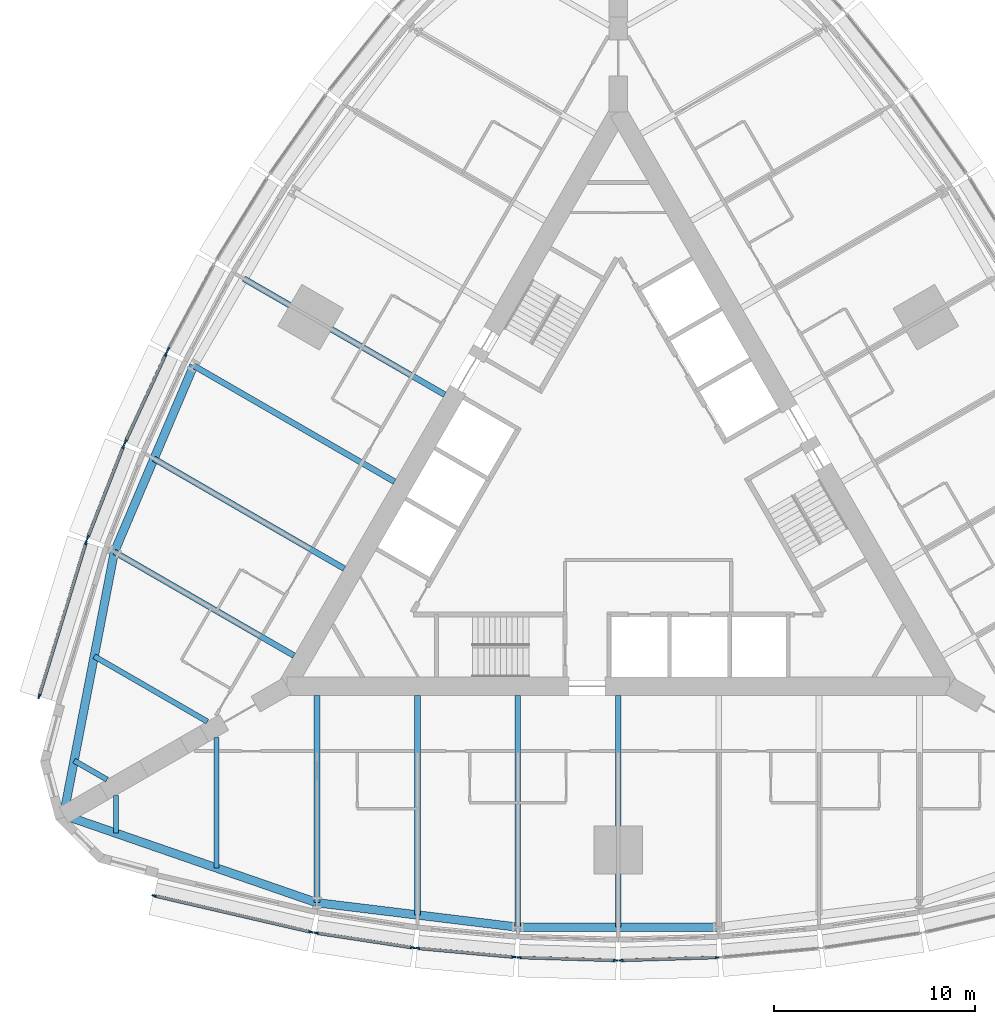
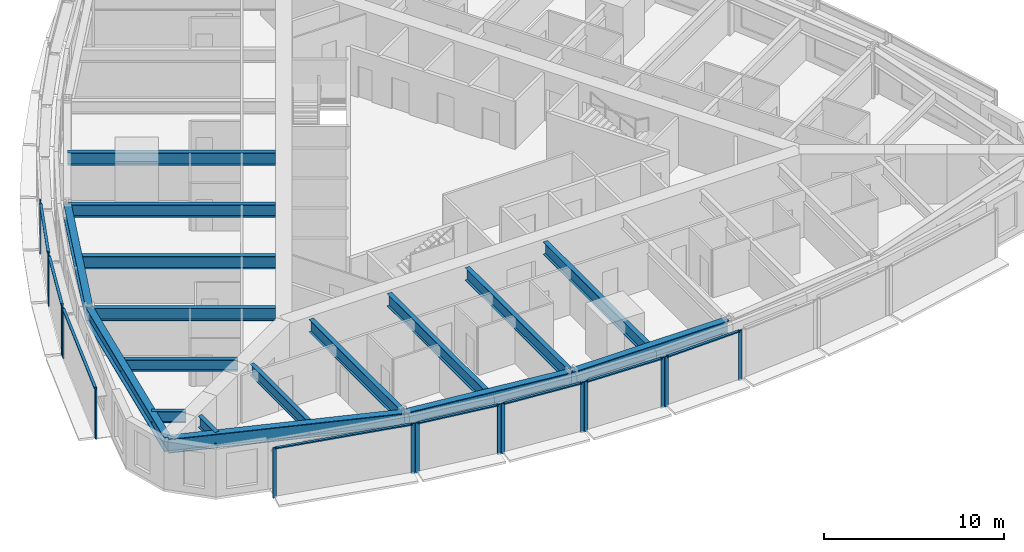
# One storey, part 2 of 14: 25 members, 17 beams, 9 elements without a shape of their own.
"""IFC4 building model written with IfcOpenShell, lengths in metres."""

import ifcopenshell
import ifcopenshell.guid

model = None  # the IFC model being written
_history = None  # IfcOwnerHistory: only IFC2X3 demands one
_inside = {}  # id of a spatial element -> (the spatial element, [elements in it])
_under = {}  # id of a project, library or spatial element -> (it, [spatial elements below it])
_declared = {}  # id of a project -> (the project, [libraries it declares])
_typed = {}  # id of a type object -> (the type object, [elements of that type])
_made_of = {}  # id of a material, layer set ... -> (it, [elements and type objects made of it])


def new_model(schema):
    """Start an empty IFC model of exactly this schema.

    Asked for "IFC4X3", IfcOpenShell would pick the latest addendum, in which some entities
    have other attributes; the version numbers below select the first issue.
    IFC2X3 requires an IfcOwnerHistory on every rooted entity: one is made here for all.
    """
    global model, _history
    if schema == "IFC4X3":
        model = ifcopenshell.file(schema_version=(4, 3, 0, 0))
    else:
        model = ifcopenshell.file(schema=schema)
    _inside.clear()
    _under.clear()
    _declared.clear()
    _typed.clear()
    _made_of.clear()
    _history = None
    if model.schema == "IFC2X3":
        org = make("IfcOrganization", Name="unknown")
        user = make(
            "IfcPersonAndOrganization",
            ThePerson=make("IfcPerson", FamilyName="unknown"),
            TheOrganization=org,
        )
        app = make(
            "IfcApplication",
            ApplicationDeveloper=org,
            Version="unknown",
            ApplicationFullName="unknown",
            ApplicationIdentifier="unknown",
        )
        _history = make(
            "IfcOwnerHistory",
            OwningUser=user,
            OwningApplication=app,
            ChangeAction="ADDED",
            CreationDate=0,
        )
    return model


def make(cls, **values):
    """One entity of the class cls with the attributes given. An attribute that is None is left unset."""
    return model.create_entity(
        cls, **{name: value for name, value in values.items() if value is not None}
    )


def rooted(cls, **values):
    """An entity with a GlobalId (a new one), such as an element, a storey or a relation."""
    return make(cls, GlobalId=ifcopenshell.guid.new(), OwnerHistory=_history, **values)


def si_unit(unit_type, name, prefix=None):
    """IfcSIUnit, for example si_unit("LENGTHUNIT", "METRE", prefix="MILLI")."""
    return make("IfcSIUnit", UnitType=unit_type, Prefix=prefix, Name=name)


def assignment(units):
    """IfcUnitAssignment: the units of a project."""
    return None if units is None else make("IfcUnitAssignment", Units=units)


def point(xyz):
    """IfcCartesianPoint."""
    return None if xyz is None else make("IfcCartesianPoint", Coordinates=xyz)


def direction(xyz):
    """IfcDirection."""
    return None if xyz is None else make("IfcDirection", DirectionRatios=xyz)


def frame(location, z_axis=None, x_axis=None):
    """IfcAxis2Placement3D, a coordinate frame: its origin and axes. An axis left out is left unset."""
    return make(
        "IfcAxis2Placement3D",
        Location=point(location),
        Axis=direction(z_axis),
        RefDirection=direction(x_axis),
    )


def frame_2d(location, x_axis=None):
    """IfcAxis2Placement2D, a coordinate frame in the plane: its origin and x axis."""
    return make(
        "IfcAxis2Placement2D", Location=point(location), RefDirection=direction(x_axis)
    )


def origin():
    """The frame at (0, 0, 0) with its axes left unset."""
    return frame((0.0, 0.0, 0.0))


def origin_2d():
    """The frame at (0, 0) in the plane with its x axis left unset."""
    return frame_2d((0.0, 0.0))


def place(relative_to, where):
    """IfcLocalPlacement: puts the frame where relative to a parent placement (None: the world)."""
    return make(
        "IfcLocalPlacement", PlacementRelTo=relative_to, RelativePlacement=where
    )


def context(
    kind, dimensions, precision=None, world=None, true_north=None, identifier=None
):
    """IfcGeometricRepresentationContext, for example the 3D "Model" context."""
    return make(
        "IfcGeometricRepresentationContext",
        ContextIdentifier=identifier,
        ContextType=kind,
        CoordinateSpaceDimension=dimensions,
        Precision=precision,
        WorldCoordinateSystem=world,
        TrueNorth=true_north,
    )


def subcontext(parent, identifier, kind, view, scale=None):
    """IfcGeometricRepresentationSubContext, for example "Body" below "Model"."""
    return make(
        "IfcGeometricRepresentationSubContext",
        ContextIdentifier=identifier,
        ContextType=kind,
        ParentContext=parent,
        TargetScale=scale,
        TargetView=view,
    )


def project(units=None, contexts=None):
    """IfcProject with its units and contexts."""
    return rooted(
        "IfcProject",
        Name="project",
        RepresentationContexts=contexts,
        UnitsInContext=assignment(units),
    )


def spatial(cls, under=None, at=None, **own):
    """A site, building, storey or space (cls), placed at a placement, below another one or the project."""
    s = rooted(cls, ObjectPlacement=at, **own)
    if under is not None:
        _under.setdefault(under.id(), (under, []))[1].append(s)
    return s


def profile(cls, at=None, kind="AREA", **sizes):
    """A parametric profile (cls). Its sizes go by their IFC names, for example OverallWidth=200.0."""
    return make(cls, ProfileType=kind, Position=at, **sizes)


def rectangle(**sizes):
    """IfcRectangleProfileDef."""
    return profile("IfcRectangleProfileDef", **sizes)


def i_section(**sizes):
    """IfcIShapeProfileDef."""
    return profile("IfcIShapeProfileDef", **sizes)


def extrude(swept, where, along, depth):
    """IfcExtrudedAreaSolid: the profile swept, set in the frame where, extruded along a direction by depth."""
    return make(
        "IfcExtrudedAreaSolid",
        SweptArea=swept,
        Position=where,
        ExtrudedDirection=direction(along),
        Depth=depth,
    )


def shape(context_of_items, identifier, shape_type, items):
    """IfcShapeRepresentation: the items that make up one representation, for example the "Body"."""
    return make(
        "IfcShapeRepresentation",
        ContextOfItems=context_of_items,
        RepresentationIdentifier=identifier,
        RepresentationType=shape_type,
        Items=items,
    )


def material(Name=None, Category=None):
    """IfcMaterial."""
    return make("IfcMaterial", Name=Name, Category=Category)


def material_profile(
    of_material, cross_section, Name=None, Category=None, Priority=None
):
    """IfcMaterialProfile: a cross section and its material."""
    return make(
        "IfcMaterialProfile",
        Name=Name,
        Material=of_material,
        Profile=cross_section,
        Priority=Priority,
        Category=Category,
    )


def profile_set(profiles, Name=None, composite=None):
    """IfcMaterialProfileSet."""
    return make(
        "IfcMaterialProfileSet",
        Name=Name,
        MaterialProfiles=profiles,
        CompositeProfile=composite,
    )


def made_of(thing, what):
    """Note that an element or type object is made of a material, layer set ...; save() writes the relation."""
    if what is not None:
        _made_of.setdefault(what.id(), (what, []))[1].append(thing)
    return thing


def type_object(cls, material=None, **own):
    """A type object (cls), such as IfcWallType, which elements share."""
    return made_of(rooted(cls, **own), material)


def element(
    cls,
    number,
    at=None,
    inside=None,
    cuts=None,
    type_object=None,
    material=None,
    context=None,
    identifier="Body",
    shape_type=None,
    held_by="IfcProductDefinitionShape",
    body=None,
    shapes=None,
    **own,
):
    """One element of the class cls, such as IfcWall. Its Tag is "e" and its number.

    at: its placement. inside: the storey or other place that contains it. cuts: it is an
    opening in that element (IfcRelVoidsElement). A single representation is given by context,
    identifier, shape_type and body (its items); several are given by shapes. held_by: the class
    of the entity that holds the representations. save() writes the other relations.
    """
    e = rooted(cls, Tag="e%d" % number, ObjectPlacement=at, **own)
    if body is not None:
        shapes = [shape(context, identifier, shape_type, body)]
    if shapes is not None:
        e.Representation = make(held_by, Representations=shapes)
    if inside is not None:
        _inside.setdefault(inside.id(), (inside, []))[1].append(e)
    if cuts is not None:
        rooted(
            "IfcRelVoidsElement", RelatingBuildingElement=cuts, RelatedOpeningElement=e
        )
    if type_object is not None:
        _typed.setdefault(type_object.id(), (type_object, []))[1].append(e)
    return made_of(e, material)


def aggregate(whole, parts):
    """IfcRelAggregates: a whole, such as a stair, and the parts it consists of."""
    return rooted("IfcRelAggregates", RelatingObject=whole, RelatedObjects=parts)


def save(model, path):
    """Write the relations noted so far, then the file.

    IfcRelAggregates (storeys below a building ...), IfcRelContainedInSpatialStructure (elements
    in a storey), IfcRelDefinesByType, IfcRelAssociatesMaterial and IfcRelDeclares: one each for
    every whole, place, type object, material and project.
    """
    for whole, parts in _under.values():
        aggregate(whole, parts)
    for where, things in _inside.values():
        rooted(
            "IfcRelContainedInSpatialStructure",
            RelatedElements=things,
            RelatingStructure=where,
        )
    for kind, things in _typed.values():
        rooted("IfcRelDefinesByType", RelatedObjects=things, RelatingType=kind)
    for what, things in _made_of.values():
        rooted("IfcRelAssociatesMaterial", RelatedObjects=things, RelatingMaterial=what)
    for by, libraries in _declared.values():
        rooted("IfcRelDeclares", RelatingContext=by, RelatedDefinitions=libraries)
    model.write(path)


model = new_model("IFC4")

# Units and contexts
model_context = context("Model", 3, precision=1e-05, world=origin(), true_north=direction((0.0, 1.0)))
body_context = subcontext(model_context, "Body", "Model", "MODEL_VIEW")
ifc_project = project(units=[si_unit("LENGTHUNIT", "METRE"), si_unit("AREAUNIT", "SQUARE_METRE"), si_unit("VOLUMEUNIT", "CUBIC_METRE"), si_unit("PLANEANGLEUNIT", "RADIAN"), si_unit("MASSUNIT", "GRAM", prefix="KILO")], contexts=[model_context])

# Site, building, storey
site_placement = place(None, origin())
site = spatial("IfcSite", under=ifc_project, at=site_placement, CompositionType="ELEMENT")
building_placement = place(site_placement, origin())
building = spatial("IfcBuilding", under=site, at=building_placement, Name="Trikona Tower", CompositionType="ELEMENT")
storey_placement = place(building_placement, frame((0.0, 0.0, 31.89990234375)))
storey = spatial("IfcBuildingStorey", under=building, at=storey_placement, Name="L06", CompositionType="ELEMENT", Elevation=31.89990234375)

# Curtain wall, members
ifc_material_1 = material(Name="Aluminium curtain wall system", Category="aluminium")
curtain_wall_type = type_object("IfcCurtainWallType", Name="Curtain wall DS1", PredefinedType="NOTDEFINED", material=ifc_material_1)
curtain_wall_1_placement = place(storey_placement, origin())
curtain_wall_1 = element("IfcCurtainWall", 1, at=curtain_wall_1_placement, inside=storey, type_object=curtain_wall_type, Name="Curtain wall DS1 L06", PredefinedType="NOTDEFINED")
ifc_material_2 = material(Name="Aluminium mullion, pale anodised", Category="aluminium")
ifc_material_profile_1 = material_profile(ifc_material_2, rectangle(XDim=0.080078125, YDim=0.219970703125, at=origin_2d()), Name="MUL-DS1")
ifc_profile_set_1 = profile_set([ifc_material_profile_1], Name="Aluminium mullion, pale anodised")
member_type_1 = type_object("IfcMemberType", Name="Mullion DS1 80x220", PredefinedType="MULLION", material=ifc_profile_set_1)
member_1_placement = place(storey_placement, frame((-23.10546875, -19.951904296875, 0.0), z_axis=(0.0, 0.0, 1.0), x_axis=(0.225343288756, 0.974279427173, 0.0)))
member_1 = element("IfcMember", 2, at=member_1_placement, type_object=member_type_1, Name="CW-DS1 mullion 1", PredefinedType="MULLION", context=body_context, shape_type="SweptSolid", body=[
    extrude(rectangle(XDim=0.080078125, YDim=0.219970703125, at=origin_2d()), origin(), (0.0, 0.0, 1.0), 3.400146484375),
])
member_2_placement = place(storey_placement, frame((-15.30029296875, -21.75732421875, 0.0), z_axis=(0.0, 0.0, 1.0), x_axis=(0.225343288756, 0.974279427173, 0.0)))
member_2 = element("IfcMember", 3, at=member_2_placement, type_object=member_type_1, Name="CW-DS1 mullion 2", PredefinedType="MULLION", context=body_context, shape_type="SweptSolid", body=[
    extrude(rectangle(XDim=0.080078125, YDim=0.219970703125, at=origin_2d()), origin(), (0.0, 0.0, 1.0), 3.400146484375),
])

curtain_wall_2_placement = place(storey_placement, origin())
curtain_wall_2 = element("IfcCurtainWall", 4, at=curtain_wall_2_placement, inside=storey, type_object=curtain_wall_type, Name="Curtain wall DS1 L06", PredefinedType="NOTDEFINED")
member_3_placement = place(storey_placement, frame((-15.03662109375, -21.807861328125, 0.0), z_axis=(0.0, 0.0, 1.0), x_axis=(0.150437693845, 0.988619492156, 0.0)))
member_3 = element("IfcMember", 5, at=member_3_placement, type_object=member_type_1, Name="CW-DS1 mullion 1", PredefinedType="MULLION", context=body_context, shape_type="SweptSolid", body=[
    extrude(rectangle(XDim=0.080078125, YDim=0.219970703125, at=origin_2d()), origin(), (0.0, 0.0, 1.0), 3.400146484375),
])
member_4_placement = place(storey_placement, frame((-10.234130859375, -22.53857421875, 0.0), z_axis=(0.0, 0.0, 1.0), x_axis=(0.150437693845, 0.988619492156, 0.0)))
member_4 = element("IfcMember", 6, at=member_4_placement, type_object=member_type_1, Name="CW-DS1 mullion 2", PredefinedType="MULLION", context=body_context, shape_type="SweptSolid", body=[
    extrude(rectangle(XDim=0.080078125, YDim=0.219970703125, at=origin_2d()), origin(), (0.0, 0.0, 1.0), 3.400146484375),
])

curtain_wall_3_placement = place(storey_placement, origin())
curtain_wall_3 = element("IfcCurtainWall", 7, at=curtain_wall_3_placement, inside=storey, type_object=curtain_wall_type, Name="Curtain wall DS1 L06", PredefinedType="NOTDEFINED")
member_5_placement = place(storey_placement, frame((-9.982177734375, -22.5693359375, 0.0), z_axis=(0.0, 0.0, 1.0), x_axis=(0.090923932737, 0.995857840485, 0.0)))
member_5 = element("IfcMember", 8, at=member_5_placement, type_object=member_type_1, Name="CW-DS1 mullion 1", PredefinedType="MULLION", context=body_context, shape_type="SweptSolid", body=[
    extrude(rectangle(XDim=0.080078125, YDim=0.219970703125, at=origin_2d()), origin(), (0.0, 0.0, 1.0), 3.400146484375),
])
member_6_placement = place(storey_placement, frame((-5.181396484375, -23.007568359375, 0.0), z_axis=(0.0, 0.0, 1.0), x_axis=(0.090923932737, 0.995857840485, 0.0)))
member_6 = element("IfcMember", 9, at=member_6_placement, type_object=member_type_1, Name="CW-DS1 mullion 2", PredefinedType="MULLION", context=body_context, shape_type="SweptSolid", body=[
    extrude(rectangle(XDim=0.080078125, YDim=0.219970703125, at=origin_2d()), origin(), (0.0, 0.0, 1.0), 3.400146484375),
])

curtain_wall_4_placement = place(storey_placement, origin())
curtain_wall_4 = element("IfcCurtainWall", 10, at=curtain_wall_4_placement, inside=storey, type_object=curtain_wall_type, Name="Curtain wall DS1 L06", PredefinedType="NOTDEFINED")
member_7_placement = place(storey_placement, frame((-4.927490234375, -23.02294921875, 0.0), z_axis=(0.0, 0.0, 1.0), x_axis=(0.030436711692, 0.999536695965, 0.0)))
member_7 = element("IfcMember", 11, at=member_7_placement, type_object=member_type_1, Name="CW-DS1 mullion 1", PredefinedType="MULLION", context=body_context, shape_type="SweptSolid", body=[
    extrude(rectangle(XDim=0.080078125, YDim=0.219970703125, at=origin_2d()), origin(), (0.0, 0.0, 1.0), 3.400146484375),
])
member_8_placement = place(storey_placement, frame((-0.12744140625, -23.169189453125, 0.0), z_axis=(0.0, 0.0, 1.0), x_axis=(0.030436711692, 0.999536695965, 0.0)))
member_8 = element("IfcMember", 12, at=member_8_placement, type_object=member_type_1, Name="CW-DS1 mullion 2", PredefinedType="MULLION", context=body_context, shape_type="SweptSolid", body=[
    extrude(rectangle(XDim=0.080078125, YDim=0.219970703125, at=origin_2d()), origin(), (0.0, 0.0, 1.0), 3.400146484375),
])

curtain_wall_5_placement = place(storey_placement, origin())
curtain_wall_5 = element("IfcCurtainWall", 13, at=curtain_wall_5_placement, inside=storey, type_object=curtain_wall_type, Name="Curtain wall DS1 L06", PredefinedType="NOTDEFINED")
member_9_placement = place(storey_placement, frame((0.12744140625, -23.169189453125, 0.0), z_axis=(0.0, 0.0, 1.0), x_axis=(-0.030436711692, 0.999536695965, 0.0)))
member_9 = element("IfcMember", 14, at=member_9_placement, type_object=member_type_1, Name="CW-DS1 mullion 1", PredefinedType="MULLION", context=body_context, shape_type="SweptSolid", body=[
    extrude(rectangle(XDim=0.080078125, YDim=0.219970703125, at=origin_2d()), origin(), (0.0, 0.0, 1.0), 3.400146484375),
])
member_10_placement = place(storey_placement, frame((4.927490234375, -23.02294921875, 0.0), z_axis=(0.0, 0.0, 1.0), x_axis=(-0.030436711692, 0.999536695965, 0.0)))
member_10 = element("IfcMember", 15, at=member_10_placement, type_object=member_type_1, Name="CW-DS1 mullion 2", PredefinedType="MULLION", context=body_context, shape_type="SweptSolid", body=[
    extrude(rectangle(XDim=0.080078125, YDim=0.219970703125, at=origin_2d()), origin(), (0.0, 0.0, 1.0), 3.400146484375),
])

# Curtain wall, member
curtain_wall_6_placement = place(storey_placement, origin())
curtain_wall_6 = element("IfcCurtainWall", 16, at=curtain_wall_6_placement, inside=storey, type_object=curtain_wall_type, Name="Curtain wall DS1 L06", PredefinedType="NOTDEFINED")
member_11_placement = place(storey_placement, frame((-22.402099609375, 7.244140625, 0.0), z_axis=(0.0, 0.0, 1.0), x_axis=(0.880843080975, -0.473408350896, 0.0)))
member_11 = element("IfcMember", 17, at=member_11_placement, type_object=member_type_1, Name="CW-DS1 mullion 2", PredefinedType="MULLION", context=body_context, shape_type="SweptSolid", body=[
    extrude(rectangle(XDim=0.080078125, YDim=0.219970703125, at=origin_2d()), origin(), (0.0, 0.0, 1.0), 3.400146484375),
])
aggregate(curtain_wall_6, [member_11])

# Curtain wall, members
curtain_wall_7_placement = place(storey_placement, origin())
curtain_wall_7 = element("IfcCurtainWall", 18, at=curtain_wall_7_placement, inside=storey, type_object=curtain_wall_type, Name="Curtain wall DS1 L06", PredefinedType="NOTDEFINED")
member_12_placement = place(storey_placement, frame((-22.515869140625, 7.0166015625, 0.0), z_axis=(0.0, 0.0, 1.0), x_axis=(0.907898459992, -0.419190155352, 0.0)))
member_12 = element("IfcMember", 19, at=member_12_placement, type_object=member_type_1, Name="CW-DS1 mullion 1", PredefinedType="MULLION", context=body_context, shape_type="SweptSolid", body=[
    extrude(rectangle(XDim=0.080078125, YDim=0.219970703125, at=origin_2d()), origin(), (0.0, 0.0, 1.0), 3.400146484375),
])
member_13_placement = place(storey_placement, frame((-24.53662109375, 2.6396484375, 0.0), z_axis=(0.0, 0.0, 1.0), x_axis=(0.907898459992, -0.419190155352, 0.0)))
member_13 = element("IfcMember", 20, at=member_13_placement, type_object=member_type_1, Name="CW-DS1 mullion 2", PredefinedType="MULLION", context=body_context, shape_type="SweptSolid", body=[
    extrude(rectangle(XDim=0.080078125, YDim=0.219970703125, at=origin_2d()), origin(), (0.0, 0.0, 1.0), 3.400146484375),
])

curtain_wall_8_placement = place(storey_placement, origin())
curtain_wall_8 = element("IfcCurtainWall", 21, at=curtain_wall_8_placement, inside=storey, type_object=curtain_wall_type, Name="Curtain wall DS1 L06", PredefinedType="NOTDEFINED")
member_14_placement = place(storey_placement, frame((-24.63623046875, 2.40625, 0.0), z_axis=(0.0, 0.0, 1.0), x_axis=(0.931395989443, -0.36400756977, 0.0)))
member_14 = element("IfcMember", 22, at=member_14_placement, type_object=member_type_1, Name="CW-DS1 mullion 1", PredefinedType="MULLION", context=body_context, shape_type="SweptSolid", body=[
    extrude(rectangle(XDim=0.080078125, YDim=0.219970703125, at=origin_2d()), origin(), (0.0, 0.0, 1.0), 3.400146484375),
])
member_15_placement = place(storey_placement, frame((-26.404296875, -2.1181640625, 0.0), z_axis=(0.0, 0.0, 1.0), x_axis=(0.931395989443, -0.36400756977, 0.0)))
member_15 = element("IfcMember", 23, at=member_15_placement, type_object=member_type_1, Name="CW-DS1 mullion 2", PredefinedType="MULLION", context=body_context, shape_type="SweptSolid", body=[
    extrude(rectangle(XDim=0.080078125, YDim=0.219970703125, at=origin_2d()), origin(), (0.0, 0.0, 1.0), 3.400146484375),
])

curtain_wall_9_placement = place(storey_placement, origin())
curtain_wall_9 = element("IfcCurtainWall", 24, at=curtain_wall_9_placement, inside=storey, type_object=curtain_wall_type, Name="Curtain wall DS1 L06", PredefinedType="NOTDEFINED")
member_16_placement = place(storey_placement, frame((-26.492431640625, -2.371826171875, 0.0), z_axis=(0.0, 0.0, 1.0), x_axis=(0.956423115383, -0.291984287868, 0.0)))
member_16 = element("IfcMember", 25, at=member_16_placement, type_object=member_type_1, Name="CW-DS1 mullion 1", PredefinedType="MULLION", context=body_context, shape_type="SweptSolid", body=[
    extrude(rectangle(XDim=0.080078125, YDim=0.219970703125, at=origin_2d()), origin(), (0.0, 0.0, 1.0), 3.400146484375),
])
member_17_placement = place(storey_placement, frame((-28.83154296875, -10.033935546875, 0.0), z_axis=(0.0, 0.0, 1.0), x_axis=(0.956423115383, -0.291984287868, 0.0)))
member_17 = element("IfcMember", 26, at=member_17_placement, type_object=member_type_1, Name="CW-DS1 mullion 2", PredefinedType="MULLION", context=body_context, shape_type="SweptSolid", body=[
    extrude(rectangle(XDim=0.080078125, YDim=0.219970703125, at=origin_2d()), origin(), (0.0, 0.0, 1.0), 3.400146484375),
])

# Beams
ifc_material_3 = material(Name="Steel ASTM A992 Grade 50", Category="steel")
ifc_material_profile_2 = material_profile(ifc_material_3, i_section(OverallWidth=0.2666015625, OverallDepth=0.76953125, WebThickness=0.015625, FlangeThickness=0.025390625, at=origin_2d()), Name="W30X132")
ifc_profile_set_2 = profile_set([ifc_material_profile_2], Name="Steel ASTM A992 Grade 50")
beam_type_1 = type_object("IfcBeamType", Name="Steel beam W30x132 (wedge)", PredefinedType="BEAM", material=ifc_profile_set_2)
beam_1_placement = place(storey_placement, frame((-25.0, -14.953369140625, 2.850341796875), z_axis=(0.0, -1.0, 0.0), x_axis=(1.0, 0.0, 0.0)))
element("IfcBeam", 27, at=beam_1_placement, inside=storey, type_object=beam_type_1, Name="Floor beam L07 F1 u-25", PredefinedType="BEAM", context=body_context, shape_type="SweptSolid", body=[
    extrude(i_section(OverallWidth=0.2666015625, OverallDepth=0.76953125, WebThickness=0.015625, FlangeThickness=0.025390625, at=origin_2d()), origin(), (0.0, 0.0, 1.0), 1.890380859375),
])
for number, where, z_axis, x_axis, name in (
    (28, (-20.0, -12.066650390625, 2.850341796875), (0.0, -1.0, 0.0), (1.0, 0.0, 0.0), "Floor beam L07 F1 u-20"),
    (29, (-20.449951171875, -11.287109375, 2.850341796875), (-0.866022504693, 0.50000502134, 0.0), (-0.50000502134, -0.866022504693, 0.0), "Floor beam L07 F3 u20"),
):
    element("IfcBeam", number, at=place(storey_placement, frame(where, z_axis=z_axis, x_axis=x_axis)), inside=storey, type_object=beam_type_1, Name=name, PredefinedType="BEAM", context=body_context, shape_type="SweptSolid", body=[
        extrude(i_section(OverallWidth=0.2666015625, OverallDepth=0.76953125, WebThickness=0.015625, FlangeThickness=0.025390625, at=origin_2d()), origin(), (0.0, 0.0, 1.0), 6.5068359375),
    ])
beam_2_placement = place(storey_placement, frame((-25.449951171875, -14.173828125, 2.850341796875), z_axis=(-0.866065156741, 0.499931139538, 0.0), x_axis=(-0.499931139538, -0.866065156741, 0.0)))
element("IfcBeam", 30, at=beam_2_placement, inside=storey, type_object=beam_type_1, Name="Floor beam L07 F3 u25", PredefinedType="BEAM", context=body_context, shape_type="SweptSolid", body=[
    extrude(i_section(OverallWidth=0.2666015625, OverallDepth=0.76953125, WebThickness=0.015625, FlangeThickness=0.025390625, at=origin_2d()), origin(), (0.0, 0.0, 1.0), 1.890380859375),
])
ifc_material_4 = material(Name="Steel ASTM A992 Grade 50", Category="steel")
ifc_material_profile_3 = material_profile(ifc_material_4, i_section(OverallWidth=0.2919921875, OverallDepth=0.845703125, WebThickness=0.015380859375, FlangeThickness=0.0244140625, at=origin_2d()), Name="W33X141")
ifc_profile_set_3 = profile_set([ifc_material_profile_3], Name="Steel ASTM A992 Grade 50")
beam_type_2 = type_object("IfcBeamType", Name="Steel beam W33x141 (radial typ)", PredefinedType="BEAM", material=ifc_profile_set_3)
beam_3_placement = place(storey_placement, frame((-15.0, -9.976318359375, 2.812255859375), z_axis=(0.0, -1.0, 0.0), x_axis=(1.0, 0.0, 0.0)))
element("IfcBeam", 31, at=beam_3_placement, inside=storey, type_object=beam_type_2, Name="Floor beam L07 F1 u-15", PredefinedType="BEAM", context=body_context, shape_type="SweptSolid", body=[
    extrude(i_section(OverallWidth=0.2919921875, OverallDepth=0.845703125, WebThickness=0.015380859375, FlangeThickness=0.0244140625, at=origin_2d()), origin(), (0.0, 0.0, 1.0), 10.32666015625),
])
beam_4_placement = place(storey_placement, frame((-10.0, -9.976318359375, 2.812255859375), z_axis=(0.0, -1.0, 0.0), x_axis=(1.0, 0.0, 0.0)))
element("IfcBeam", 32, at=beam_4_placement, inside=storey, type_object=beam_type_2, Name="Floor beam L07 F1 u-10", PredefinedType="BEAM", context=body_context, shape_type="SweptSolid", body=[
    extrude(i_section(OverallWidth=0.2919921875, OverallDepth=0.845703125, WebThickness=0.015380859375, FlangeThickness=0.0244140625, at=origin_2d()), origin(), (0.0, 0.0, 1.0), 10.935302734375),
])
for number, where, z_axis, x_axis, name in (
    (33, (-5.0, -9.976318359375, 2.812255859375), (0.0, -1.0, 0.0), (1.0, 0.0, 0.0), "Floor beam L07 F1 u-5"),
    (34, (0.0, -9.976318359375, 2.812255859375), (0.0, -1.0, 0.0), (1.0, 0.0, 0.0), "Floor beam L07 F1 u0"),
    (35, (-8.6396484375, 4.988037109375, 2.812255859375), (-0.866020765707, 0.500008033299, 0.0), (-0.500008033299, -0.866020765707, 0.0), "Floor beam L07 F3 u0"),
    (36, (-11.1396484375, 0.657958984375, 2.812255859375), (-0.866020765707, 0.500008033299, 0.0), (-0.500008033299, -0.866020765707, 0.0), "Floor beam L07 F3 u5"),
):
    element("IfcBeam", number, at=place(storey_placement, frame(where, z_axis=z_axis, x_axis=x_axis)), inside=storey, type_object=beam_type_2, Name=name, PredefinedType="BEAM", context=body_context, shape_type="SweptSolid", body=[
        extrude(i_section(OverallWidth=0.2919921875, OverallDepth=0.845703125, WebThickness=0.015380859375, FlangeThickness=0.0244140625, at=origin_2d()), origin(), (0.0, 0.0, 1.0), 11.544189453125),
    ])
beam_5_placement = place(storey_placement, frame((-13.6396484375, -3.672119140625, 2.812255859375), z_axis=(-0.866025348605, 0.500000095573, 0.0), x_axis=(-0.500000095573, -0.866025348605, 0.0)))
element("IfcBeam", 37, at=beam_5_placement, inside=storey, type_object=beam_type_2, Name="Floor beam L07 F3 u10", PredefinedType="BEAM", context=body_context, shape_type="SweptSolid", body=[
    extrude(i_section(OverallWidth=0.2919921875, OverallDepth=0.845703125, WebThickness=0.015380859375, FlangeThickness=0.0244140625, at=origin_2d()), origin(), (0.0, 0.0, 1.0), 10.935546875),
])
beam_6_placement = place(storey_placement, frame((-16.1396484375, -8.002197265625, 2.812255859375), z_axis=(-0.866030471684, 0.499991222037, 0.0), x_axis=(-0.499991222037, -0.866030471684, 0.0)))
element("IfcBeam", 38, at=beam_6_placement, inside=storey, type_object=beam_type_2, Name="Floor beam L07 F3 u15", PredefinedType="BEAM", context=body_context, shape_type="SweptSolid", body=[
    extrude(i_section(OverallWidth=0.2919921875, OverallDepth=0.845703125, WebThickness=0.015380859375, FlangeThickness=0.0244140625, at=origin_2d()), origin(), (0.0, 0.0, 1.0), 10.326904296875),
])
ifc_material_5 = material(Name="Steel ASTM A992 Grade 50", Category="steel")
ifc_material_profile_4 = material_profile(ifc_material_5, i_section(OverallWidth=0.424072265625, OverallDepth=0.947509765625, WebThickness=0.02392578125, FlangeThickness=0.042724609375, at=origin_2d()), Name="W36X302")
ifc_profile_set_4 = profile_set([ifc_material_profile_4], Name="Steel ASTM A992 Grade 50")
beam_type_3 = type_object("IfcBeamType", Name="Steel beam W36x302 (spandrel)", PredefinedType="SPANDREL", material=ifc_profile_set_4)
beam_7_placement = place(storey_placement, frame((-27.6103515625, -15.94091796875, 2.761474609375), z_axis=(0.945056965739, -0.326905692071, 0.0), x_axis=(0.326905692071, 0.945056965739, 0.0)))
element("IfcBeam", 39, at=beam_7_placement, inside=storey, type_object=beam_type_3, Name="Spandrel beam L07 F1-1", PredefinedType="SPANDREL", context=body_context, shape_type="SweptSolid", body=[
    extrude(i_section(OverallWidth=0.424072265625, OverallDepth=0.947509765625, WebThickness=0.02392578125, FlangeThickness=0.042724609375, at=origin_2d()), origin(), (0.0, 0.0, 1.0), 13.343505859375),
])
beam_8_placement = place(storey_placement, frame((-15.0, -20.302978515625, 2.761474609375), z_axis=(0.99266951126, -0.120860421207, 0.0), x_axis=(0.120860421207, 0.99266951126, 0.0)))
element("IfcBeam", 40, at=beam_8_placement, inside=storey, type_object=beam_type_3, Name="Spandrel beam L07 F1-2", PredefinedType="SPANDREL", context=body_context, shape_type="SweptSolid", body=[
    extrude(i_section(OverallWidth=0.424072265625, OverallDepth=0.947509765625, WebThickness=0.02392578125, FlangeThickness=0.042724609375, at=origin_2d()), origin(), (0.0, 0.0, 1.0), 10.07373046875),
])
beam_9_placement = place(storey_placement, frame((-5.0, -21.5205078125, 2.761474609375), z_axis=(1.0, 0.0, 0.0), x_axis=(0.0, 1.0, 0.0)))
element("IfcBeam", 41, at=beam_9_placement, inside=storey, type_object=beam_type_3, Name="Spandrel beam L07 F1-3", PredefinedType="SPANDREL", context=body_context, shape_type="SweptSolid", body=[
    extrude(i_section(OverallWidth=0.424072265625, OverallDepth=0.947509765625, WebThickness=0.02392578125, FlangeThickness=0.042724609375, at=origin_2d()), origin(), (0.0, 0.0, 1.0), 10.0),
])
beam_10_placement = place(storey_placement, frame((-21.13720703125, 6.43017578125, 2.761474609375), z_axis=(-0.391683514847, -0.920100007715, 0.0), x_axis=(0.920100007715, -0.391683514847, 0.0)))
element("IfcBeam", 42, at=beam_10_placement, inside=storey, type_object=beam_type_3, Name="Spandrel beam L07 F3-4", PredefinedType="SPANDREL", context=body_context, shape_type="SweptSolid", body=[
    extrude(i_section(OverallWidth=0.424072265625, OverallDepth=0.947509765625, WebThickness=0.02392578125, FlangeThickness=0.042724609375, at=origin_2d()), origin(), (0.0, 0.0, 1.0), 10.073974609375),
])
beam_11_placement = place(storey_placement, frame((-25.0830078125, -2.8388671875, 2.761474609375), z_axis=(-0.189405184036, -0.981899015307, 0.0), x_axis=(0.981899015307, -0.189405184036, 0.0)))
element("IfcBeam", 43, at=beam_11_placement, inside=storey, type_object=beam_type_3, Name="Spandrel beam L07 F3-5", PredefinedType="SPANDREL", context=body_context, shape_type="SweptSolid", body=[
    extrude(i_section(OverallWidth=0.424072265625, OverallDepth=0.947509765625, WebThickness=0.02392578125, FlangeThickness=0.042724609375, at=origin_2d()), origin(), (0.0, 0.0, 1.0), 13.343505859375),
])

# Member
ifc_material_6 = material(Name="Aluminium transom, pale anodised", Category="aluminium")
ifc_material_profile_5 = material_profile(ifc_material_6, rectangle(XDim=0.159912109375, YDim=0.080078125, at=origin_2d()), Name="TRN-DS1")
ifc_profile_set_5 = profile_set([ifc_material_profile_5], Name="Aluminium transom, pale anodised")
member_type_2 = type_object("IfcMemberType", Name="Transom DS1 80x160", PredefinedType="USERDEFINED", material=ifc_profile_set_5)
member_18_placement = place(storey_placement, frame((-23.06640625, -19.9609375, 3.360107421875), z_axis=(0.974275371842, -0.225360821398, 0.0), x_axis=(0.225360821398, 0.974275371842, 0.0)))
member_18 = element("IfcMember", 44, at=member_18_placement, type_object=member_type_2, Name="CW-DS1 transom 1.1", ObjectType="TRANSOM", PredefinedType="USERDEFINED", context=body_context, shape_type="SweptSolid", body=[
    extrude(rectangle(XDim=0.159912109375, YDim=0.080078125, at=origin_2d()), origin(), (0.0, 0.0, 1.0), 7.93115234375),
])

aggregate(curtain_wall_1, [member_1, member_2, member_18])

member_19_placement = place(storey_placement, frame((-14.9970703125, -21.813720703125, 3.360107421875), z_axis=(0.988619663412, -0.150436568413, 0.0), x_axis=(0.150436568413, 0.988619663412, 0.0)))
member_19 = element("IfcMember", 45, at=member_19_placement, type_object=member_type_2, Name="CW-DS1 transom 1.1", ObjectType="TRANSOM", PredefinedType="USERDEFINED", context=body_context, shape_type="SweptSolid", body=[
    extrude(rectangle(XDim=0.159912109375, YDim=0.080078125, at=origin_2d()), origin(), (0.0, 0.0, 1.0), 4.77783203125),
])

aggregate(curtain_wall_2, [member_3, member_4, member_19])

member_20_placement = place(storey_placement, frame((-9.9423828125, -22.57275390625, 3.360107421875), z_axis=(0.995855977008, -0.090944340438, 0.0), x_axis=(0.090944340438, 0.995855977008, 0.0)))
member_20 = element("IfcMember", 46, at=member_20_placement, type_object=member_type_2, Name="CW-DS1 transom 1.1", ObjectType="TRANSOM", PredefinedType="USERDEFINED", context=body_context, shape_type="SweptSolid", body=[
    extrude(rectangle(XDim=0.159912109375, YDim=0.080078125, at=origin_2d()), origin(), (0.0, 0.0, 1.0), 4.74072265625),
])

aggregate(curtain_wall_3, [member_5, member_6, member_20])

member_21_placement = place(storey_placement, frame((-4.887451171875, -23.024169921875, 3.360107421875), z_axis=(0.999536232946, -0.030451913371, 0.0), x_axis=(0.030451913371, 0.999536232946, 0.0)))
member_21 = element("IfcMember", 47, at=member_21_placement, type_object=member_type_2, Name="CW-DS1 transom 1.1", ObjectType="TRANSOM", PredefinedType="USERDEFINED", context=body_context, shape_type="SweptSolid", body=[
    extrude(rectangle(XDim=0.159912109375, YDim=0.080078125, at=origin_2d()), origin(), (0.0, 0.0, 1.0), 4.72216796875),
])

aggregate(curtain_wall_4, [member_7, member_8, member_21])

member_22_placement = place(storey_placement, frame((0.16748046875, -23.16796875, 3.360107421875), z_axis=(0.999536232946, 0.030451913371, 0.0), x_axis=(-0.030451913371, 0.999536232946, 0.0)))
member_22 = element("IfcMember", 48, at=member_22_placement, type_object=member_type_2, Name="CW-DS1 transom 1.1", ObjectType="TRANSOM", PredefinedType="USERDEFINED", context=body_context, shape_type="SweptSolid", body=[
    extrude(rectangle(XDim=0.159912109375, YDim=0.080078125, at=origin_2d()), origin(), (0.0, 0.0, 1.0), 4.72216796875),
])

aggregate(curtain_wall_5, [member_9, member_10, member_22])

member_23_placement = place(storey_placement, frame((-22.53271484375, 6.980224609375, 3.360107421875), z_axis=(-0.419188800665, -0.90789908547, 0.0), x_axis=(0.90789908547, -0.419188800665, 0.0)))
member_23 = element("IfcMember", 49, at=member_23_placement, type_object=member_type_2, Name="CW-DS1 transom 1.1", ObjectType="TRANSOM", PredefinedType="USERDEFINED", context=body_context, shape_type="SweptSolid", body=[
    extrude(rectangle(XDim=0.159912109375, YDim=0.080078125, at=origin_2d()), origin(), (0.0, 0.0, 1.0), 4.74072265625),
])

aggregate(curtain_wall_7, [member_12, member_13, member_23])

member_24_placement = place(storey_placement, frame((-24.650634765625, 2.368896484375, 3.360107421875), z_axis=(-0.364048647668, -0.931379934362, 0.0), x_axis=(0.931379934362, -0.364048647668, 0.0)))
member_24 = element("IfcMember", 50, at=member_24_placement, type_object=member_type_2, Name="CW-DS1 transom 1.1", ObjectType="TRANSOM", PredefinedType="USERDEFINED", context=body_context, shape_type="SweptSolid", body=[
    extrude(rectangle(XDim=0.159912109375, YDim=0.080078125, at=origin_2d()), origin(), (0.0, 0.0, 1.0), 4.777587890625),
])

aggregate(curtain_wall_8, [member_14, member_15, member_24])

member_25_placement = place(storey_placement, frame((-26.504150390625, -2.409912109375, 3.360107421875), z_axis=(-0.291967490203, -0.956428243343, 0.0), x_axis=(0.956428243343, -0.291967490203, 0.0)))
member_25 = element("IfcMember", 51, at=member_25_placement, type_object=member_type_2, Name="CW-DS1 transom 1.1", ObjectType="TRANSOM", PredefinedType="USERDEFINED", context=body_context, shape_type="SweptSolid", body=[
    extrude(rectangle(XDim=0.159912109375, YDim=0.080078125, at=origin_2d()), origin(), (0.0, 0.0, 1.0), 7.93115234375),
])

aggregate(curtain_wall_9, [member_16, member_17, member_25])

save(model, "model.ifc")
